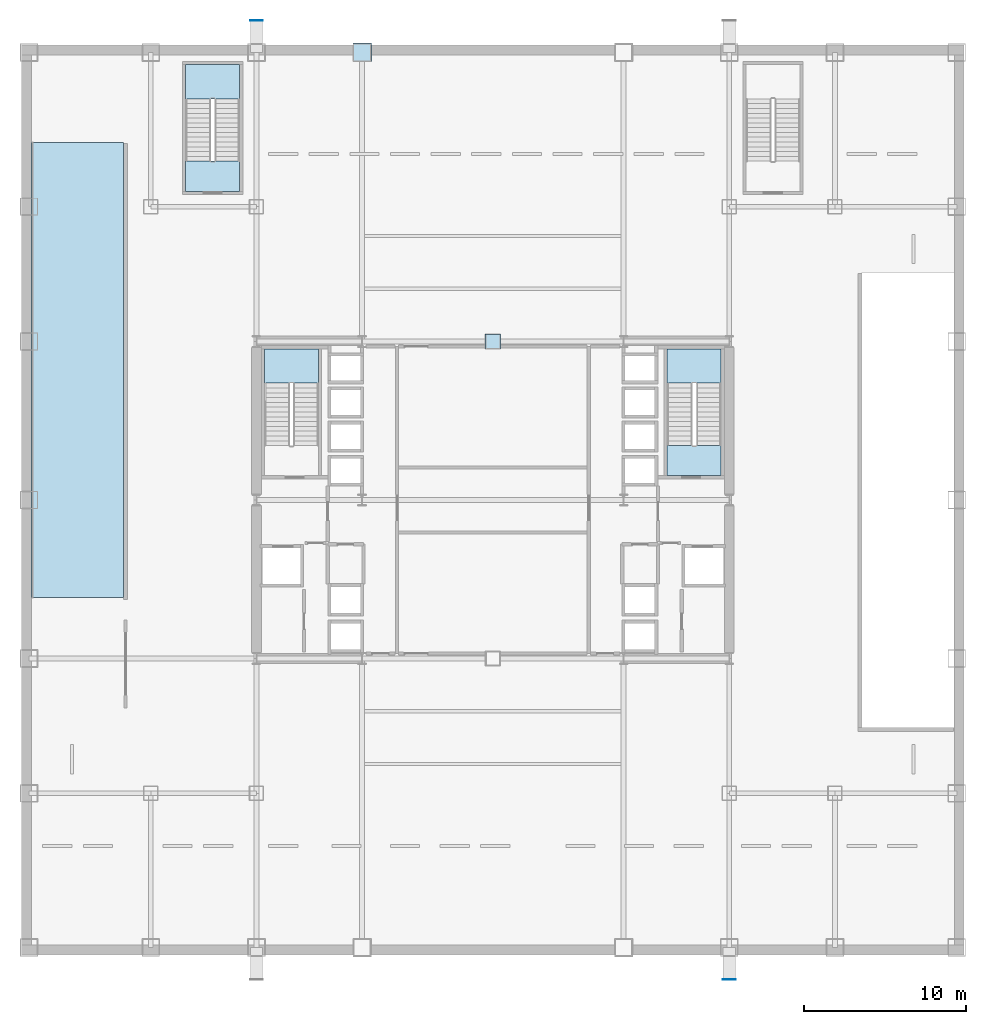
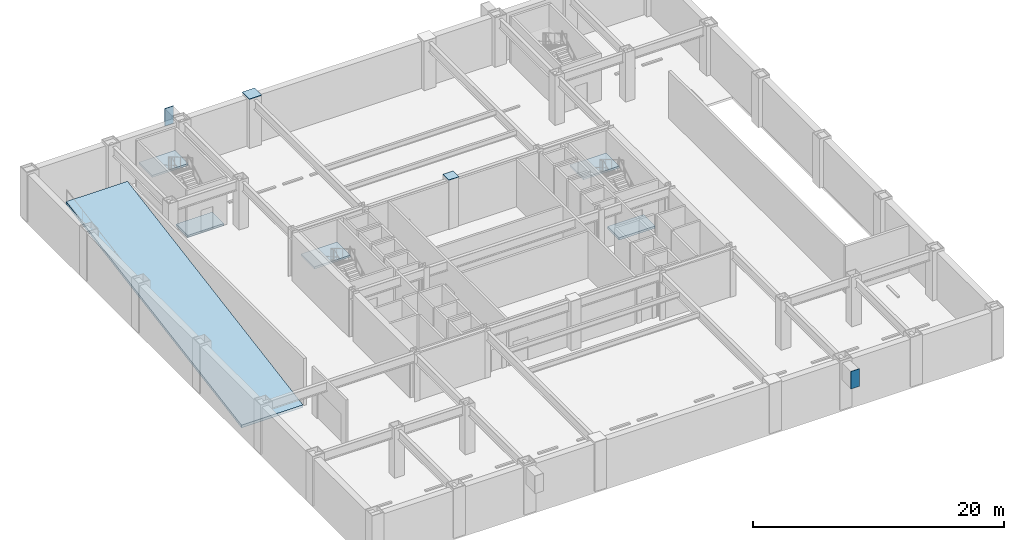
# One storey, part 4 of 10: 6 slabs, 4 plates, 3 elements without a shape of their own.
"""IFC4 building model written with IfcOpenShell, lengths in metres."""

from ifc_helpers import new_model, si_unit, direction, frame, origin, origin_2d, place, context, subcontext, project, spatial, polyline, rectangle, outline, extrude, material, layer, layer_set, type_object, element, aggregate, save


model = new_model("IFC4")

# Units and contexts
model_context = context("Model", 3, precision=1e-05, world=origin(), true_north=direction((0.0, 1.0)))
body_context = subcontext(model_context, "Body", "Model", "MODEL_VIEW")
ifc_project = project(units=[si_unit("LENGTHUNIT", "METRE"), si_unit("AREAUNIT", "SQUARE_METRE"), si_unit("VOLUMEUNIT", "CUBIC_METRE"), si_unit("PLANEANGLEUNIT", "RADIAN"), si_unit("MASSUNIT", "GRAM", prefix="KILO")], contexts=[model_context])

# Site, building, storey
site_placement = place(None, origin())
site = spatial("IfcSite", under=ifc_project, at=site_placement, CompositionType="ELEMENT")
building_placement = place(site_placement, origin())
building = spatial("IfcBuilding", under=site, at=building_placement, Name="Brelmoor Portico Tower", CompositionType="ELEMENT")
storey_placement = place(building_placement, frame((0.0, 0.0, -4.800048828125)))
storey = spatial("IfcBuildingStorey", under=building, at=storey_placement, Name="B1", CompositionType="ELEMENT", Elevation=-4.800048828125)

# Plates
ifc_material_1 = material(Name="Steel Q355B", Category="steel")
ifc_layer_1 = layer(ifc_material_1, 0.044921875)
ifc_layer_set_1 = layer_set([ifc_layer_1], Name="Steel Q355B")
plate_type = type_object("IfcPlateType", Name="PT-CAP-650", PredefinedType="SHEET", material=ifc_layer_set_1)
plate_1_placement = place(storey_placement, frame((0.0, 9.75, 4.800048828125), z_axis=(0.0, 0.0, 1.0), x_axis=(1.0, 0.0, 0.0)))
element("IfcPlate", 1, at=plate_1_placement, inside=storey, type_object=plate_type, Name="B1 Basement Central Column CB-N Welded Head Cap Plate", PredefinedType="SHEET", context=body_context, shape_type="SweptSolid", body=[
    extrude(rectangle(XDim=0.93994140625, YDim=0.93994140625, at=origin_2d()), origin(), (0.0, 0.0, 1.0), 0.0400390625),
])
plate_2_placement = place(storey_placement, frame((-8.050048828125, 27.550048828125, 4.800048828125), z_axis=(0.0, 0.0, 1.0), x_axis=(1.0, 0.0, 0.0)))
element("IfcPlate", 2, at=plate_2_placement, inside=storey, type_object=plate_type, Name="B1 Perimeter Mega-Column PN12 Welded Head Cap Plate", PredefinedType="SHEET", context=body_context, shape_type="SweptSolid", body=[
    extrude(rectangle(XDim=1.139892578125, YDim=1.139892578125, at=origin_2d()), origin(), (0.0, 0.0, 1.0), 0.0400390625),
])
for number, where, z_axis, x_axis, name in (
    (3, (14.550048828125, -29.52001953125, 2.89990234375), (0.0, 0.0, 1.0), (1.0, 0.0, 0.0), "B1 Entrance Portal Cantilever End Cap Plate EPB-02"),
    (4, (-14.550048828125, 29.52001953125, 2.89990234375), (0.0, 0.0, 1.0), (1.0, 0.0, 0.0), "B1 Entrance Portal Cantilever End Cap Plate EPB-03"),
):
    element("IfcPlate", number, at=place(storey_placement, frame(where, z_axis=z_axis, x_axis=x_axis)), inside=storey, type_object=plate_type, Name=name, PredefinedType="SHEET", context=body_context, shape_type="SweptSolid", body=[
        extrude(rectangle(XDim=0.7900390625, YDim=0.0400390625, at=origin_2d()), origin(), (0.0, 0.0, 1.0), 1.699951171875),
    ])

# Stair, slab
ifc_material_2 = material(Name="Concrete C40", Category="concrete")
stair_type_1 = type_object("IfcStairType", Name="ST-CORE-W", PredefinedType="HALF_TURN_STAIR", material=ifc_material_2)
stair_1_placement = place(storey_placement, origin())
stair_1 = element("IfcStair", 5, at=stair_1_placement, inside=storey, type_object=stair_type_1, Name="B1 Protected Core Exit Stair ST-W", PredefinedType="HALF_TURN_STAIR")
ifc_layer_2 = layer(ifc_material_2, 0.179931640625)
ifc_layer_set_2 = layer_set([ifc_layer_2], Name="Concrete C40")
slab_type_1 = type_object("IfcSlabType", Name="SL-LANDING-180", PredefinedType="LANDING", material=ifc_layer_set_2)
slab_1_placement = place(storey_placement, frame((0.0, 0.0, 2.199951171875)))
slab_1 = element("IfcSlab", 6, at=slab_1_placement, type_object=slab_type_1, Name="ST-W landing 1", PredefinedType="LANDING", context=body_context, shape_type="SweptSolid", body=[
    extrude(outline(polyline([(-10.72998046875, 7.18505859375), (-10.72998046875, 9.300048828125), (-14.050048828125, 9.300048828125), (-14.050048828125, 7.18505859375), (-10.72998046875, 7.18505859375)])), origin(), (0.0, 0.0, 1.0), 0.2001953125),
])
aggregate(stair_1, [slab_1])

stair_type_2 = type_object("IfcStairType", Name="ST-CORE-E", PredefinedType="HALF_TURN_STAIR", material=ifc_material_2)
stair_2_placement = place(storey_placement, origin())
stair_2 = element("IfcStair", 7, at=stair_2_placement, inside=storey, type_object=stair_type_2, Name="B1 Protected Core Exit Stair ST-E", PredefinedType="HALF_TURN_STAIR")
slab_2_placement = place(storey_placement, frame((0.0, 0.0, 2.199951171875)))
slab_2 = element("IfcSlab", 8, at=slab_2_placement, type_object=slab_type_1, Name="ST-E landing 1", PredefinedType="LANDING", context=body_context, shape_type="SweptSolid", body=[
    extrude(outline(polyline([(14.050048828125, 7.18505859375), (14.050048828125, 9.300048828125), (10.72998046875, 9.300048828125), (10.72998046875, 7.18505859375), (14.050048828125, 7.18505859375)])), origin(), (0.0, 0.0, 1.0), 0.2001953125),
])
aggregate(stair_2, [slab_2])

stair_type_3 = type_object("IfcStairType", Name="ST-POD-P1", PredefinedType="HALF_TURN_STAIR", material=ifc_material_2)
stair_3_placement = place(storey_placement, origin())
stair_3 = element("IfcStair", 9, at=stair_3_placement, inside=storey, type_object=stair_type_3, Name="B1 Podium Protected Exit Stair ST-P1", PredefinedType="HALF_TURN_STAIR")
slab_3_placement = place(storey_placement, frame((0.0, 0.0, 2.199951171875)))
slab_3 = element("IfcSlab", 10, at=slab_3_placement, type_object=slab_type_1, Name="ST-P1 landing 1", PredefinedType="LANDING", context=body_context, shape_type="SweptSolid", body=[
    extrude(outline(polyline([(-15.580078125, 24.68505859375), (-15.580078125, 26.800048828125), (-18.89990234375, 26.800048828125), (-18.89990234375, 24.68505859375), (-15.580078125, 24.68505859375)])), origin(), (0.0, 0.0, 1.0), 0.2001953125),
])
aggregate(stair_3, [slab_3])

# Slabs
ifc_layer_3 = layer(ifc_material_2, 0.25)
ifc_layer_set_3 = layer_set([ifc_layer_3], Name="Concrete C40")
slab_type_2 = type_object("IfcSlabType", Name="SL-RAMP-250", PredefinedType="USERDEFINED", material=ifc_layer_set_3)
slab_4_placement = place(storey_placement, frame((-28.3798828125, -6.0, 0.0), z_axis=(0.0, -0.16896548483, 0.985621968574), x_axis=(1.0, 0.0, 0.0)))
element("IfcSlab", 11, at=slab_4_placement, inside=storey, type_object=slab_type_2, Name="B1 Car Park Structural Vehicle Ramp Slab VR-1", ObjectType="VEHICLE RAMP", PredefinedType="USERDEFINED", context=body_context, shape_type="SweptSolid", body=[
    extrude(outline(polyline([(0.0, 0.0), (5.659912109375, 0.0), (5.659912109375, 28.408457697530572), (0.0, 28.408457697530572), (0.0, 0.0)])), origin(), (0.0, -0.16896548483, -0.985621968574), 0.253662109375),
])
ifc_layer_4 = layer(ifc_material_2, 0.219970703125)
ifc_layer_set_4 = layer_set([ifc_layer_4], Name="Concrete C40")
slab_type_3 = type_object("IfcSlabType", Name="SL-STAIR-FL220", PredefinedType="LANDING", material=ifc_layer_set_4)
slab_5_placement = place(storey_placement, frame((0.0, 0.0, -0.219970703125)))
element("IfcSlab", 12, at=slab_5_placement, inside=storey, type_object=slab_type_3, Name="B1 ST-E Structural Floor Landing Slab", PredefinedType="LANDING", context=body_context, shape_type="SweptSolid", body=[
    extrude(outline(polyline([(14.050048828125, 1.5), (14.050048828125, 3.35009765625), (10.72998046875, 3.35009765625), (10.72998046875, 1.5), (14.050048828125, 1.5)])), origin(), (0.0, 0.0, 1.0), 0.219970703125),
])
slab_6_placement = place(storey_placement, frame((0.0, 0.0, -0.219970703125)))
element("IfcSlab", 13, at=slab_6_placement, inside=storey, type_object=slab_type_3, Name="B1 ST-P1 Structural Floor Landing Slab", PredefinedType="LANDING", context=body_context, shape_type="SweptSolid", body=[
    extrude(outline(polyline([(-15.580078125, 19.0), (-15.580078125, 20.85009765625), (-18.89990234375, 20.85009765625), (-18.89990234375, 19.0), (-15.580078125, 19.0)])), origin(), (0.0, 0.0, 1.0), 0.219970703125),
])

save(model, "model.ifc")
